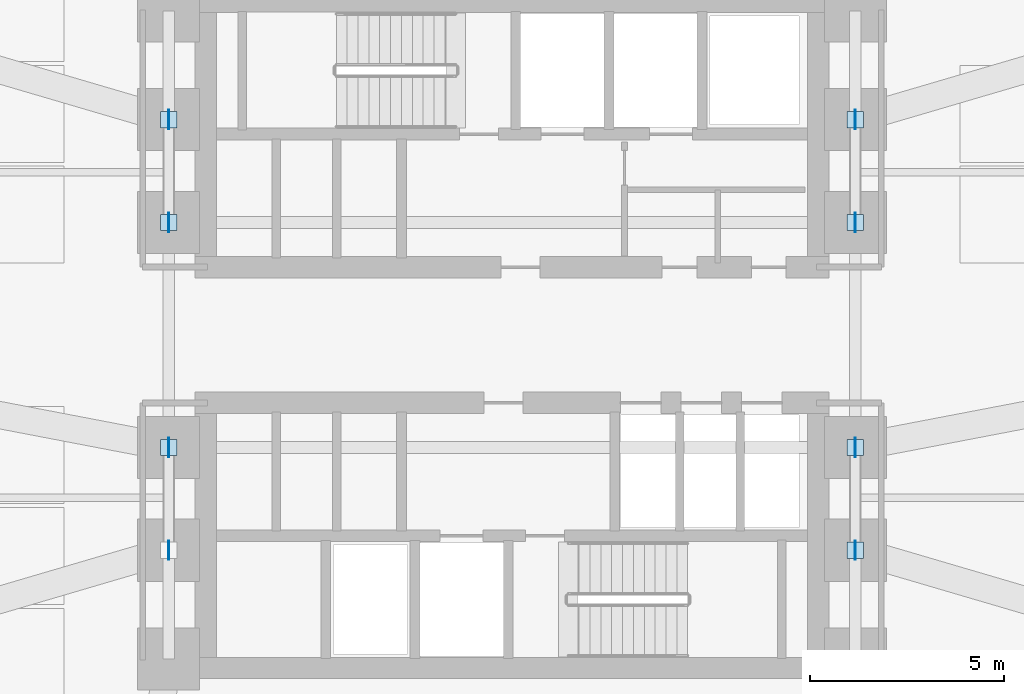
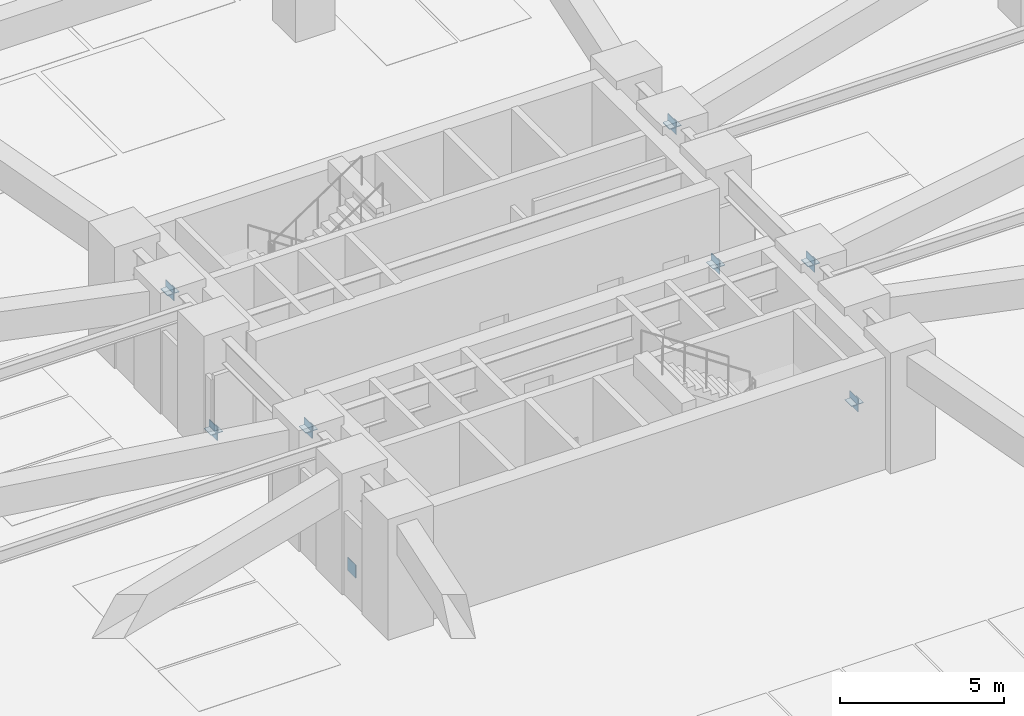
# One storey, part 5 of 13: 15 plates.
"""IFC4 building model written with IfcOpenShell, lengths in metres."""

from ifc_helpers import new_model, si_unit, direction, frame, origin, origin_2d, place, context, subcontext, project, spatial, rectangle, extrude, material, layer, layer_set, type_object, element, save


model = new_model("IFC4")

# Units and contexts
model_context = context("Model", 3, precision=1e-05, world=origin(), true_north=direction((0.0, 1.0)))
body_context = subcontext(model_context, "Body", "Model", "MODEL_VIEW")
ifc_project = project(units=[si_unit("LENGTHUNIT", "METRE"), si_unit("AREAUNIT", "SQUARE_METRE"), si_unit("VOLUMEUNIT", "CUBIC_METRE"), si_unit("PLANEANGLEUNIT", "RADIAN"), si_unit("MASSUNIT", "GRAM", prefix="KILO")], contexts=[model_context])

# Site, building, storey
site_placement = place(None, origin())
site = spatial("IfcSite", under=ifc_project, at=site_placement, CompositionType="ELEMENT")
building_placement = place(site_placement, origin())
building = spatial("IfcBuilding", under=site, at=building_placement, Name="Solmarez Civic Tower", CompositionType="ELEMENT")
storey_placement = place(building_placement, frame((0.0, 0.0, -4.5)))
storey = spatial("IfcBuildingStorey", under=building, at=storey_placement, Name="B1", CompositionType="ELEMENT", Elevation=-4.5)

# Plates
ifc_material = material(Name="Steel S355", Category="steel")
ifc_layer_1 = layer(ifc_material, 0.02392578125)
ifc_layer_set_1 = layer_set([ifc_layer_1], Name="Steel S355")
plate_type_1 = type_object("IfcPlateType", Name="PLT-CAP-380", PredefinedType="USERDEFINED", material=ifc_layer_set_1)
for number, where, z_axis, x_axis, name in (
    (1, (-8.85009765625, -2.89990234375, 3.838134765625), (0.0, 0.0, 1.0), (1.0, 0.0, 0.0), "Steel Member End Cap Plate CAP-BRC-B1-CORE-1-1"),
    (2, (-8.85009765625, 2.89990234375, 0.238037109375), (0.0, 0.0, 1.0), (1.0, 0.0, 0.0), "Steel Member End Cap Plate CAP-BRC-B1-CORE-2-0"),
    (3, (-8.85009765625, 5.550048828125, 3.838134765625), (0.0, 0.0, 1.0), (1.0, 0.0, 0.0), "Steel Member End Cap Plate CAP-BRC-B1-CORE-2-1"),
    (4, (8.85009765625, -5.550048828125, 0.238037109375), (0.0, 0.0, 1.0), (1.0, 0.0, 0.0), "Steel Member End Cap Plate CAP-BRC-B1-CORE-3-0"),
    (5, (8.85009765625, -2.89990234375, 3.838134765625), (0.0, 0.0, 1.0), (1.0, 0.0, 0.0), "Steel Member End Cap Plate CAP-BRC-B1-CORE-3-1"),
    (6, (8.85009765625, 2.89990234375, 0.238037109375), (0.0, 0.0, 1.0), (1.0, 0.0, 0.0), "Steel Member End Cap Plate CAP-BRC-B1-CORE-4-0"),
    (7, (8.85009765625, 5.550048828125, 3.838134765625), (0.0, 0.0, 1.0), (1.0, 0.0, 0.0), "Steel Member End Cap Plate CAP-BRC-B1-CORE-4-1"),
):
    element("IfcPlate", number, at=place(storey_placement, frame(where, z_axis=z_axis, x_axis=x_axis)), inside=storey, type_object=plate_type_1, Name=name, ObjectType="CAP_PLATE", PredefinedType="USERDEFINED", context=body_context, shape_type="SweptSolid", body=[
        extrude(rectangle(XDim=0.419921875, YDim=0.419921875, at=origin_2d()), origin(), (0.0, 0.0, 1.0), 0.02392578125),
    ])
ifc_layer_2 = layer(ifc_material, 0.02490234375)
ifc_layer_set_2 = layer_set([ifc_layer_2], Name="Steel S355")
plate_type_2 = type_object("IfcPlateType", Name="PLT-GUSSET-25", PredefinedType="USERDEFINED", material=ifc_layer_set_2)
for number, where, z_axis, x_axis, name in (
    (8, (-8.85009765625, -5.550048828125, 0.0), (0.0, 0.0, 1.0), (0.0, 1.0, 0.0), "B1 Structural Gusset Plate GUS-B1-1-0"),
    (9, (-8.85009765625, -2.89990234375, 3.60009765625), (0.0, 0.0, 1.0), (0.0, 1.0, 0.0), "B1 Structural Gusset Plate GUS-B1-1-1"),
    (10, (-8.85009765625, 2.89990234375, 0.0), (0.0, 0.0, 1.0), (0.0, 1.0, 0.0), "B1 Structural Gusset Plate GUS-B1-2-0"),
    (11, (-8.85009765625, 5.550048828125, 3.60009765625), (0.0, 0.0, 1.0), (0.0, 1.0, 0.0), "B1 Structural Gusset Plate GUS-B1-2-1"),
    (12, (8.85009765625, -5.550048828125, 0.0), (0.0, 0.0, 1.0), (0.0, 1.0, 0.0), "B1 Structural Gusset Plate GUS-B1-3-0"),
    (13, (8.85009765625, -2.89990234375, 3.60009765625), (0.0, 0.0, 1.0), (0.0, 1.0, 0.0), "B1 Structural Gusset Plate GUS-B1-3-1"),
    (14, (8.85009765625, 2.89990234375, 0.0), (0.0, 0.0, 1.0), (0.0, 1.0, 0.0), "B1 Structural Gusset Plate GUS-B1-4-0"),
    (15, (8.85009765625, 5.550048828125, 3.60009765625), (0.0, 0.0, 1.0), (0.0, 1.0, 0.0), "B1 Structural Gusset Plate GUS-B1-4-1"),
):
    element("IfcPlate", number, at=place(storey_placement, frame(where, z_axis=z_axis, x_axis=x_axis)), inside=storey, type_object=plate_type_2, Name=name, ObjectType="GUSSET_PLATE", PredefinedType="USERDEFINED", context=body_context, shape_type="SweptSolid", body=[
        extrude(rectangle(XDim=0.5, YDim=0.02490234375, at=origin_2d()), origin(), (0.0, 0.0, 1.0), 0.5),
    ])

save(model, "model.ifc")
